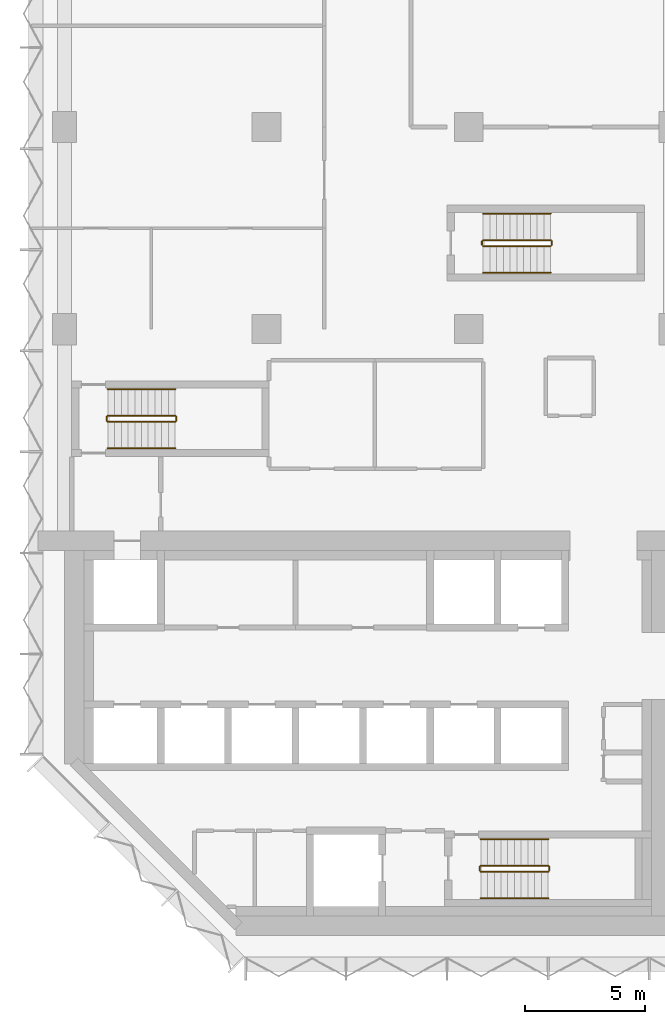
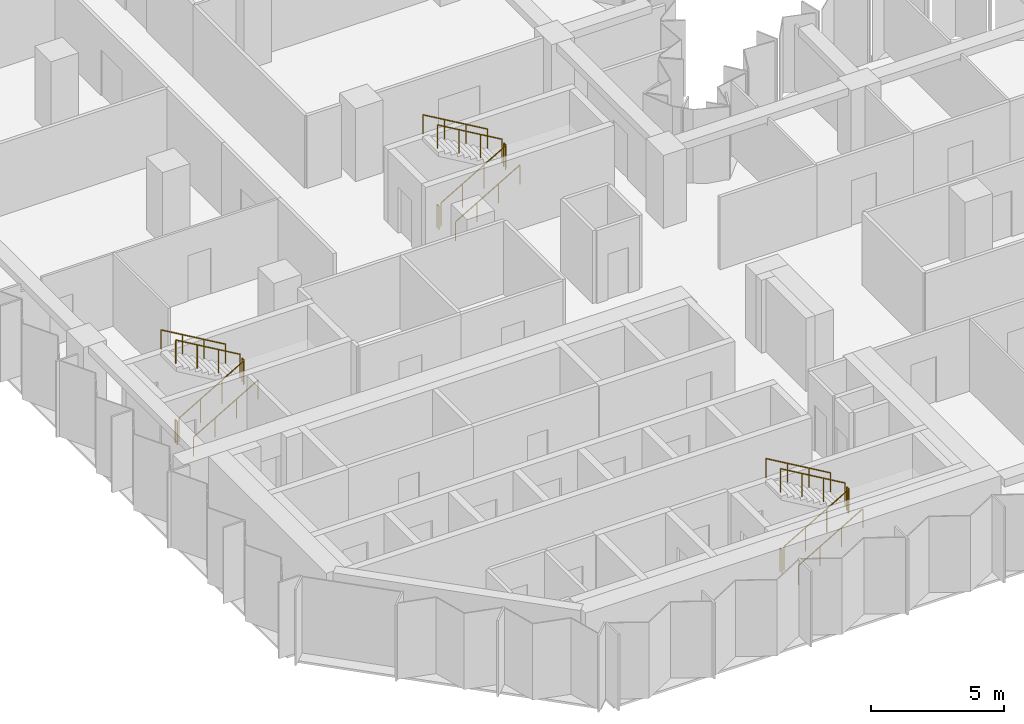
# One storey, part 12 of 13: 18 railings.
"""IFC4 building model written with IfcOpenShell, lengths in metres."""

from ifc_helpers import new_model, si_unit, direction, frame, origin, origin_2d, place, context, subcontext, project, spatial, circle, extrude, material, type_object, element, save


model = new_model("IFC4")

# Units and contexts
model_context = context("Model", 3, precision=1e-05, world=origin(), true_north=direction((0.0, 1.0)))
body_context = subcontext(model_context, "Body", "Model", "MODEL_VIEW")
ifc_project = project(units=[si_unit("LENGTHUNIT", "METRE"), si_unit("AREAUNIT", "SQUARE_METRE"), si_unit("VOLUMEUNIT", "CUBIC_METRE"), si_unit("PLANEANGLEUNIT", "RADIAN"), si_unit("MASSUNIT", "GRAM", prefix="KILO")], contexts=[model_context])

# Site, building, storey
site_placement = place(None, origin())
site = spatial("IfcSite", under=ifc_project, at=site_placement, CompositionType="ELEMENT")
building_placement = place(site_placement, origin())
building = spatial("IfcBuilding", under=site, at=building_placement, Name="Brevane Broadcast Tower", CompositionType="ELEMENT")
storey_placement = place(building_placement, frame((0.0, 0.0, 113.300048828125)))
storey = spatial("IfcBuildingStorey", under=building, at=storey_placement, Name="L27", CompositionType="ELEMENT", Elevation=113.300048828125)

# Railings
ifc_material = material(Name="Steel S355", Category="steel")
railing_type_1 = type_object("IfcRailingType", Name="Exit stair guard", PredefinedType="GUARDRAIL", material=ifc_material)
railing_1_placement = place(storey_placement, frame((1.800048828125, 21.35009765625, 0.16357421875)))
element("IfcRailing", 1, at=railing_1_placement, inside=storey, type_object=railing_type_1, Name="L27 ST-1 stair guard 1", PredefinedType="GUARDRAIL", context=body_context, shape_type="SweptSolid", body=[
    extrude(circle(Radius=0.02392578125, at=origin_2d()), frame((0.0, 0.0, 1.076171875), z_axis=(0.863360870873, 0.0, 0.504586966384), x_axis=(0.0, 1.0, 0.0)), (0.0, 0.0, 1.0), 3.2431640625),
    extrude(circle(Radius=0.02099609375, at=origin_2d()), origin(), (0.0, 0.0, 1.0), 1.052001953125),
    extrude(circle(Radius=0.02099609375, at=origin_2d()), frame((0.933349609375, 0.0, 0.54541015625)), (0.0, 0.0, 1.0), 1.052001953125),
    extrude(circle(Radius=0.02099609375, at=origin_2d()), frame((1.86669921875, 0.0, 1.091064453125)), (0.0, 0.0, 1.0), 1.052001953125),
    extrude(circle(Radius=0.02099609375, at=origin_2d()), frame((2.800048828125, 0.0, 1.636474609375)), (0.0, 0.0, 1.0), 1.052001953125),
])
railing_2_placement = place(storey_placement, frame((4.64990234375, 21.39990234375, 1.800048828125)))
element("IfcRailing", 2, at=railing_2_placement, inside=storey, type_object=railing_type_1, Name="L27 ST-1 stair guard 2", PredefinedType="GUARDRAIL", context=body_context, shape_type="SweptSolid", body=[
    extrude(circle(Radius=0.02392578125, at=origin_2d()), frame((0.0, 0.0, 1.076171875), z_axis=(0.0, 1.0, 0.0), x_axis=(-1.0, 0.0, 0.0)), (0.0, 0.0, 1.0), 0.150146484375),
    extrude(circle(Radius=0.02099609375, at=origin_2d()), origin(), (0.0, 0.0, 1.0), 1.052001953125),
    extrude(circle(Radius=0.02099609375, at=origin_2d()), frame((0.0, 0.150146484375, 0.0)), (0.0, 0.0, 1.0), 1.052001953125),
])
railing_3_placement = place(storey_placement, frame((4.60009765625, 21.60009765625, 1.963623046875)))
element("IfcRailing", 3, at=railing_3_placement, inside=storey, type_object=railing_type_1, Name="L27 ST-1 stair guard 3", PredefinedType="GUARDRAIL", context=body_context, shape_type="SweptSolid", body=[
    extrude(circle(Radius=0.02392578125, at=origin_2d()), frame((0.0, 0.0, 1.076171875), z_axis=(-0.863393664356, 0.0, 0.504530851732), x_axis=(0.0, -1.0, 0.0)), (0.0, 0.0, 1.0), 3.2431640625),
    extrude(circle(Radius=0.02099609375, at=origin_2d()), origin(), (0.0, 0.0, 1.0), 1.052001953125),
    extrude(circle(Radius=0.02099609375, at=origin_2d()), frame((-0.933349609375, 0.0, 0.54541015625)), (0.0, 0.0, 1.0), 1.052001953125),
    extrude(circle(Radius=0.02099609375, at=origin_2d()), frame((-1.86669921875, 0.0, 1.0908203125)), (0.0, 0.0, 1.0), 1.052001953125),
    extrude(circle(Radius=0.02099609375, at=origin_2d()), frame((-2.800048828125, 0.0, 1.63623046875)), (0.0, 0.0, 1.0), 1.052001953125),
])
railing_4_placement = place(storey_placement, frame((1.75, 21.39990234375, 0.0)))
element("IfcRailing", 4, at=railing_4_placement, inside=storey, type_object=railing_type_1, Name="L27 ST-1 stair guard 4", PredefinedType="GUARDRAIL", context=body_context, shape_type="SweptSolid", body=[
    extrude(circle(Radius=0.02392578125, at=origin_2d()), frame((0.0, 0.0, 1.076171875), z_axis=(0.0, 1.0, 0.0), x_axis=(-1.0, 0.0, 0.0)), (0.0, 0.0, 1.0), 0.150146484375),
    extrude(circle(Radius=0.02099609375, at=origin_2d()), origin(), (0.0, 0.0, 1.0), 1.052001953125),
    extrude(circle(Radius=0.02099609375, at=origin_2d()), frame((0.0, 0.150146484375, 0.0)), (0.0, 0.0, 1.0), 1.052001953125),
])
railing_5_placement = place(storey_placement, frame((17.300048828125, 2.64990234375, 0.16357421875)))
element("IfcRailing", 5, at=railing_5_placement, inside=storey, type_object=railing_type_1, Name="L27 ST-2 stair guard 1", PredefinedType="GUARDRAIL", context=body_context, shape_type="SweptSolid", body=[
    extrude(circle(Radius=0.02392578125, at=origin_2d()), frame((0.0, 0.0, 1.076171875), z_axis=(0.863360870873, 0.0, 0.504586966384), x_axis=(0.0, 1.0, 0.0)), (0.0, 0.0, 1.0), 3.2431640625),
    extrude(circle(Radius=0.02099609375, at=origin_2d()), origin(), (0.0, 0.0, 1.0), 1.052001953125),
    extrude(circle(Radius=0.02099609375, at=origin_2d()), frame((0.933349609375, 0.0, 0.54541015625)), (0.0, 0.0, 1.0), 1.052001953125),
    extrude(circle(Radius=0.02099609375, at=origin_2d()), frame((1.86669921875, 0.0, 1.091064453125)), (0.0, 0.0, 1.0), 1.052001953125),
    extrude(circle(Radius=0.02099609375, at=origin_2d()), frame((2.800048828125, 0.0, 1.636474609375)), (0.0, 0.0, 1.0), 1.052001953125),
])
railing_6_placement = place(storey_placement, frame((20.14990234375, 2.699951171875, 1.800048828125)))
element("IfcRailing", 6, at=railing_6_placement, inside=storey, type_object=railing_type_1, Name="L27 ST-2 stair guard 2", PredefinedType="GUARDRAIL", context=body_context, shape_type="SweptSolid", body=[
    extrude(circle(Radius=0.02392578125, at=origin_2d()), frame((0.0, 0.0, 1.076171875), z_axis=(0.0, 1.0, 0.0), x_axis=(-1.0, 0.0, 0.0)), (0.0, 0.0, 1.0), 0.150146484375),
    extrude(circle(Radius=0.02099609375, at=origin_2d()), origin(), (0.0, 0.0, 1.0), 1.052001953125),
    extrude(circle(Radius=0.02099609375, at=origin_2d()), frame((0.0, 0.150146484375, 0.0)), (0.0, 0.0, 1.0), 1.052001953125),
])
railing_7_placement = place(storey_placement, frame((20.10009765625, 2.89990234375, 1.963623046875)))
element("IfcRailing", 7, at=railing_7_placement, inside=storey, type_object=railing_type_1, Name="L27 ST-2 stair guard 3", PredefinedType="GUARDRAIL", context=body_context, shape_type="SweptSolid", body=[
    extrude(circle(Radius=0.02392578125, at=origin_2d()), frame((0.0, 0.0, 1.076171875), z_axis=(-0.863393664356, 0.0, 0.504530851732), x_axis=(0.0, -1.0, 0.0)), (0.0, 0.0, 1.0), 3.2431640625),
    extrude(circle(Radius=0.02099609375, at=origin_2d()), origin(), (0.0, 0.0, 1.0), 1.052001953125),
    extrude(circle(Radius=0.02099609375, at=origin_2d()), frame((-0.933349609375, 0.0, 0.54541015625)), (0.0, 0.0, 1.0), 1.052001953125),
    extrude(circle(Radius=0.02099609375, at=origin_2d()), frame((-1.86669921875, 0.0, 1.0908203125)), (0.0, 0.0, 1.0), 1.052001953125),
    extrude(circle(Radius=0.02099609375, at=origin_2d()), frame((-2.800048828125, 0.0, 1.63623046875)), (0.0, 0.0, 1.0), 1.052001953125),
])
railing_8_placement = place(storey_placement, frame((17.25, 2.699951171875, 0.0)))
element("IfcRailing", 8, at=railing_8_placement, inside=storey, type_object=railing_type_1, Name="L27 ST-2 stair guard 4", PredefinedType="GUARDRAIL", context=body_context, shape_type="SweptSolid", body=[
    extrude(circle(Radius=0.02392578125, at=origin_2d()), frame((0.0, 0.0, 1.076171875), z_axis=(0.0, 1.0, 0.0), x_axis=(-1.0, 0.0, 0.0)), (0.0, 0.0, 1.0), 0.150146484375),
    extrude(circle(Radius=0.02099609375, at=origin_2d()), origin(), (0.0, 0.0, 1.0), 1.052001953125),
    extrude(circle(Radius=0.02099609375, at=origin_2d()), frame((0.0, 0.150146484375, 0.0)), (0.0, 0.0, 1.0), 1.052001953125),
])
railing_9_placement = place(storey_placement, frame((17.39990234375, 28.64990234375, 0.16357421875)))
element("IfcRailing", 9, at=railing_9_placement, inside=storey, type_object=railing_type_1, Name="L27 ST-3 stair guard 1", PredefinedType="GUARDRAIL", context=body_context, shape_type="SweptSolid", body=[
    extrude(circle(Radius=0.02392578125, at=origin_2d()), frame((0.0, 0.0, 1.076171875), z_axis=(0.863360870873, 0.0, 0.504586966384), x_axis=(0.0, 1.0, 0.0)), (0.0, 0.0, 1.0), 3.2431640625),
    extrude(circle(Radius=0.02099609375, at=origin_2d()), origin(), (0.0, 0.0, 1.0), 1.052001953125),
    extrude(circle(Radius=0.02099609375, at=origin_2d()), frame((0.933349609375, 0.0, 0.54541015625)), (0.0, 0.0, 1.0), 1.052001953125),
    extrude(circle(Radius=0.02099609375, at=origin_2d()), frame((1.86669921875, 0.0, 1.091064453125)), (0.0, 0.0, 1.0), 1.052001953125),
    extrude(circle(Radius=0.02099609375, at=origin_2d()), frame((2.800048828125, 0.0, 1.636474609375)), (0.0, 0.0, 1.0), 1.052001953125),
])
railing_10_placement = place(storey_placement, frame((20.25, 28.699951171875, 1.800048828125)))
element("IfcRailing", 10, at=railing_10_placement, inside=storey, type_object=railing_type_1, Name="L27 ST-3 stair guard 2", PredefinedType="GUARDRAIL", context=body_context, shape_type="SweptSolid", body=[
    extrude(circle(Radius=0.02392578125, at=origin_2d()), frame((0.0, 0.0, 1.076171875), z_axis=(0.0, 1.0, 0.0), x_axis=(-1.0, 0.0, 0.0)), (0.0, 0.0, 1.0), 0.150146484375),
    extrude(circle(Radius=0.02099609375, at=origin_2d()), origin(), (0.0, 0.0, 1.0), 1.052001953125),
    extrude(circle(Radius=0.02099609375, at=origin_2d()), frame((0.0, 0.150146484375, 0.0)), (0.0, 0.0, 1.0), 1.052001953125),
])
railing_11_placement = place(storey_placement, frame((20.199951171875, 28.89990234375, 1.963623046875)))
element("IfcRailing", 11, at=railing_11_placement, inside=storey, type_object=railing_type_1, Name="L27 ST-3 stair guard 3", PredefinedType="GUARDRAIL", context=body_context, shape_type="SweptSolid", body=[
    extrude(circle(Radius=0.02392578125, at=origin_2d()), frame((0.0, 0.0, 1.076171875), z_axis=(-0.863393664356, 0.0, 0.504530851732), x_axis=(0.0, -1.0, 0.0)), (0.0, 0.0, 1.0), 3.2431640625),
    extrude(circle(Radius=0.02099609375, at=origin_2d()), origin(), (0.0, 0.0, 1.0), 1.052001953125),
    extrude(circle(Radius=0.02099609375, at=origin_2d()), frame((-0.933349609375, 0.0, 0.54541015625)), (0.0, 0.0, 1.0), 1.052001953125),
    extrude(circle(Radius=0.02099609375, at=origin_2d()), frame((-1.86669921875, 0.0, 1.0908203125)), (0.0, 0.0, 1.0), 1.052001953125),
    extrude(circle(Radius=0.02099609375, at=origin_2d()), frame((-2.800048828125, 0.0, 1.63623046875)), (0.0, 0.0, 1.0), 1.052001953125),
])
railing_12_placement = place(storey_placement, frame((17.35009765625, 28.699951171875, 0.0)))
element("IfcRailing", 12, at=railing_12_placement, inside=storey, type_object=railing_type_1, Name="L27 ST-3 stair guard 4", PredefinedType="GUARDRAIL", context=body_context, shape_type="SweptSolid", body=[
    extrude(circle(Radius=0.02392578125, at=origin_2d()), frame((0.0, 0.0, 1.076171875), z_axis=(0.0, 1.0, 0.0), x_axis=(-1.0, 0.0, 0.0)), (0.0, 0.0, 1.0), 0.150146484375),
    extrude(circle(Radius=0.02099609375, at=origin_2d()), origin(), (0.0, 0.0, 1.0), 1.052001953125),
    extrude(circle(Radius=0.02099609375, at=origin_2d()), frame((0.0, 0.150146484375, 0.0)), (0.0, 0.0, 1.0), 1.052001953125),
])
railing_type_2 = type_object("IfcRailingType", Name="Exit stair handrail", PredefinedType="HANDRAIL", material=ifc_material)
railing_13_placement = place(storey_placement, frame((1.800048828125, 20.25, 0.16357421875)))
element("IfcRailing", 13, at=railing_13_placement, inside=storey, type_object=railing_type_2, Name="L27 ST-1 stair handrail 1", PredefinedType="HANDRAIL", context=body_context, shape_type="SweptSolid", body=[
    extrude(circle(Radius=0.02392578125, at=origin_2d()), frame((0.0, 0.0, 0.8759765625), z_axis=(0.863360870873, 0.0, 0.504586966384), x_axis=(0.0, 1.0, 0.0)), (0.0, 0.0, 1.0), 3.2431640625),
    extrude(circle(Radius=0.02099609375, at=origin_2d()), origin(), (0.0, 0.0, 1.0), 0.851806640625),
    extrude(circle(Radius=0.02099609375, at=origin_2d()), frame((0.933349609375, 0.0, 0.54541015625)), (0.0, 0.0, 1.0), 0.851806640625),
    extrude(circle(Radius=0.02099609375, at=origin_2d()), frame((1.86669921875, 0.0, 1.091064453125)), (0.0, 0.0, 1.0), 0.851806640625),
    extrude(circle(Radius=0.02099609375, at=origin_2d()), frame((2.800048828125, 0.0, 1.636474609375)), (0.0, 0.0, 1.0), 0.851806640625),
])
railing_14_placement = place(storey_placement, frame((4.60009765625, 22.699951171875, 1.963623046875)))
element("IfcRailing", 14, at=railing_14_placement, inside=storey, type_object=railing_type_2, Name="L27 ST-1 stair handrail 2", PredefinedType="HANDRAIL", context=body_context, shape_type="SweptSolid", body=[
    extrude(circle(Radius=0.02392578125, at=origin_2d()), frame((0.0, 0.0, 0.8759765625), z_axis=(-0.863393664356, 0.0, 0.504530851732), x_axis=(0.0, -1.0, 0.0)), (0.0, 0.0, 1.0), 3.2431640625),
    extrude(circle(Radius=0.02099609375, at=origin_2d()), origin(), (0.0, 0.0, 1.0), 0.851806640625),
    extrude(circle(Radius=0.02099609375, at=origin_2d()), frame((-0.933349609375, 0.0, 0.54541015625)), (0.0, 0.0, 1.0), 0.851806640625),
    extrude(circle(Radius=0.02099609375, at=origin_2d()), frame((-1.86669921875, 0.0, 1.0908203125)), (0.0, 0.0, 1.0), 0.851806640625),
    extrude(circle(Radius=0.02099609375, at=origin_2d()), frame((-2.800048828125, 0.0, 1.63623046875)), (0.0, 0.0, 1.0), 0.851806640625),
])
railing_15_placement = place(storey_placement, frame((17.300048828125, 1.550048828125, 0.16357421875)))
element("IfcRailing", 15, at=railing_15_placement, inside=storey, type_object=railing_type_2, Name="L27 ST-2 stair handrail 1", PredefinedType="HANDRAIL", context=body_context, shape_type="SweptSolid", body=[
    extrude(circle(Radius=0.02392578125, at=origin_2d()), frame((0.0, 0.0, 0.8759765625), z_axis=(0.863360870873, 0.0, 0.504586966384), x_axis=(0.0, 1.0, 0.0)), (0.0, 0.0, 1.0), 3.2431640625),
    extrude(circle(Radius=0.02099609375, at=origin_2d()), origin(), (0.0, 0.0, 1.0), 0.851806640625),
    extrude(circle(Radius=0.02099609375, at=origin_2d()), frame((0.933349609375, 0.0, 0.54541015625)), (0.0, 0.0, 1.0), 0.851806640625),
    extrude(circle(Radius=0.02099609375, at=origin_2d()), frame((1.86669921875, 0.0, 1.091064453125)), (0.0, 0.0, 1.0), 0.851806640625),
    extrude(circle(Radius=0.02099609375, at=origin_2d()), frame((2.800048828125, 0.0, 1.636474609375)), (0.0, 0.0, 1.0), 0.851806640625),
])
railing_16_placement = place(storey_placement, frame((20.10009765625, 4.0, 1.963623046875)))
element("IfcRailing", 16, at=railing_16_placement, inside=storey, type_object=railing_type_2, Name="L27 ST-2 stair handrail 2", PredefinedType="HANDRAIL", context=body_context, shape_type="SweptSolid", body=[
    extrude(circle(Radius=0.02392578125, at=origin_2d()), frame((0.0, 0.0, 0.8759765625), z_axis=(-0.863393664356, 0.0, 0.504530851732), x_axis=(0.0, -1.0, 0.0)), (0.0, 0.0, 1.0), 3.2431640625),
    extrude(circle(Radius=0.02099609375, at=origin_2d()), origin(), (0.0, 0.0, 1.0), 0.851806640625),
    extrude(circle(Radius=0.02099609375, at=origin_2d()), frame((-0.933349609375, 0.0, 0.54541015625)), (0.0, 0.0, 1.0), 0.851806640625),
    extrude(circle(Radius=0.02099609375, at=origin_2d()), frame((-1.86669921875, 0.0, 1.0908203125)), (0.0, 0.0, 1.0), 0.851806640625),
    extrude(circle(Radius=0.02099609375, at=origin_2d()), frame((-2.800048828125, 0.0, 1.63623046875)), (0.0, 0.0, 1.0), 0.851806640625),
])
railing_17_placement = place(storey_placement, frame((17.39990234375, 27.550048828125, 0.16357421875)))
element("IfcRailing", 17, at=railing_17_placement, inside=storey, type_object=railing_type_2, Name="L27 ST-3 stair handrail 1", PredefinedType="HANDRAIL", context=body_context, shape_type="SweptSolid", body=[
    extrude(circle(Radius=0.02392578125, at=origin_2d()), frame((0.0, 0.0, 0.8759765625), z_axis=(0.863360870873, 0.0, 0.504586966384), x_axis=(0.0, 1.0, 0.0)), (0.0, 0.0, 1.0), 3.2431640625),
    extrude(circle(Radius=0.02099609375, at=origin_2d()), origin(), (0.0, 0.0, 1.0), 0.851806640625),
    extrude(circle(Radius=0.02099609375, at=origin_2d()), frame((0.933349609375, 0.0, 0.54541015625)), (0.0, 0.0, 1.0), 0.851806640625),
    extrude(circle(Radius=0.02099609375, at=origin_2d()), frame((1.86669921875, 0.0, 1.091064453125)), (0.0, 0.0, 1.0), 0.851806640625),
    extrude(circle(Radius=0.02099609375, at=origin_2d()), frame((2.800048828125, 0.0, 1.636474609375)), (0.0, 0.0, 1.0), 0.851806640625),
])
railing_18_placement = place(storey_placement, frame((20.199951171875, 30.0, 1.963623046875)))
element("IfcRailing", 18, at=railing_18_placement, inside=storey, type_object=railing_type_2, Name="L27 ST-3 stair handrail 2", PredefinedType="HANDRAIL", context=body_context, shape_type="SweptSolid", body=[
    extrude(circle(Radius=0.02392578125, at=origin_2d()), frame((0.0, 0.0, 0.8759765625), z_axis=(-0.863393664356, 0.0, 0.504530851732), x_axis=(0.0, -1.0, 0.0)), (0.0, 0.0, 1.0), 3.2431640625),
    extrude(circle(Radius=0.02099609375, at=origin_2d()), origin(), (0.0, 0.0, 1.0), 0.851806640625),
    extrude(circle(Radius=0.02099609375, at=origin_2d()), frame((-0.933349609375, 0.0, 0.54541015625)), (0.0, 0.0, 1.0), 0.851806640625),
    extrude(circle(Radius=0.02099609375, at=origin_2d()), frame((-1.86669921875, 0.0, 1.0908203125)), (0.0, 0.0, 1.0), 0.851806640625),
    extrude(circle(Radius=0.02099609375, at=origin_2d()), frame((-2.800048828125, 0.0, 1.63623046875)), (0.0, 0.0, 1.0), 0.851806640625),
])

save(model, "model.ifc")
